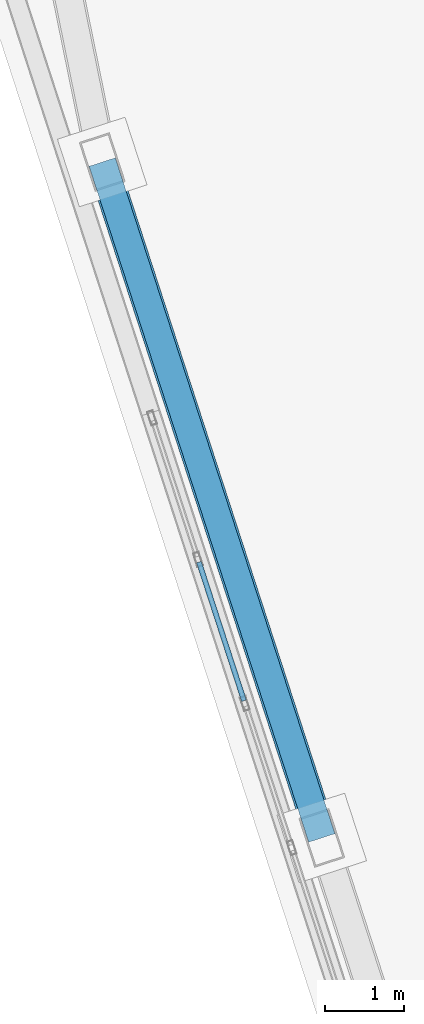
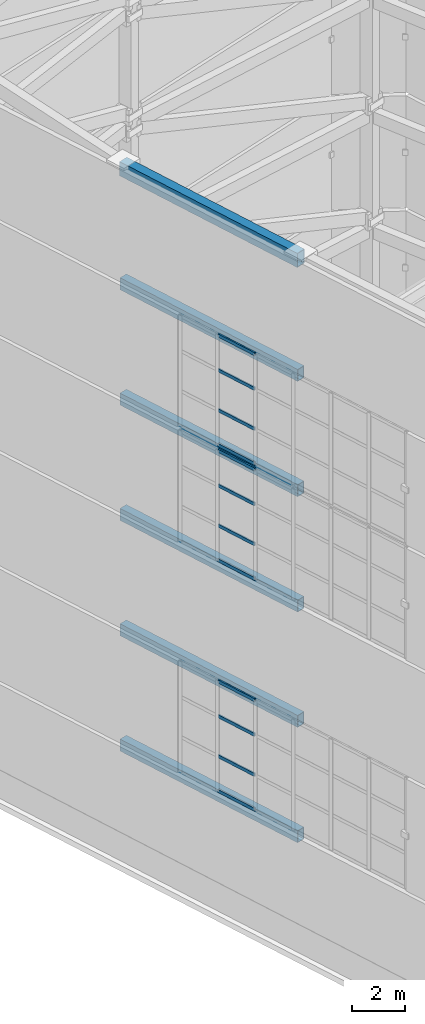
# One storey, part 7 of 56: 12 members, 6 beams, 3 elements without a shape of their own.
"""IFC4 building model written with IfcOpenShell, lengths in metres."""

from ifc_helpers import new_model, si_unit, direction, frame, origin, origin_2d, place, context, subcontext, project, spatial, hollow_rectangle, extrude, material, layer, layer_set, material_profile, profile_set, type_object, element, aggregate, save


model = new_model("IFC4")

# Units and contexts
model_context = context("Model", 3, precision=1e-05, world=origin(), true_north=direction((0.0, 1.0)))
body_context = subcontext(model_context, "Body", "Model", "MODEL_VIEW")
ifc_project = project(units=[si_unit("LENGTHUNIT", "METRE"), si_unit("AREAUNIT", "SQUARE_METRE"), si_unit("VOLUMEUNIT", "CUBIC_METRE"), si_unit("PLANEANGLEUNIT", "RADIAN"), si_unit("MASSUNIT", "GRAM", prefix="KILO")], contexts=[model_context])

# Site, building, storey
site_placement = place(None, origin())
site = spatial("IfcSite", under=ifc_project, at=site_placement, CompositionType="ELEMENT")
building_placement = place(site_placement, origin())
building = spatial("IfcBuilding", under=site, at=building_placement, Name="Qiaolan Cultural Towers", CompositionType="ELEMENT")
storey_placement = place(building_placement, frame((0.0, 0.0, 250.39990234375)))
storey = spatial("IfcBuildingStorey", under=building, at=storey_placement, Name="L68", CompositionType="ELEMENT", Elevation=250.39990234375)

# Beams
ifc_material_1 = material(Name="Steel Q355B", Category="steel")
ifc_material_profile_1 = material_profile(ifc_material_1, hollow_rectangle(XDim=0.39990234375, YDim=0.64990234375, WallThickness=0.02001953125, at=origin_2d()), Name="BOX650x400x20")
ifc_profile_set_1 = profile_set([ifc_material_profile_1], Name="Steel Q355B")
beam_type_1 = type_object("IfcBeamType", Name="BM-CROWN-FRAME-1", PredefinedType="BEAM", material=ifc_profile_set_1)
beam_placement = place(storey_placement, frame((74.42724609375, 38.4033203125, 31.47509765625), z_axis=(0.309000197986, -0.951061973609, 0.0), x_axis=(0.951061973609, 0.309000197986, 0.0)))
element("IfcBeam", 1, at=beam_placement, inside=storey, type_object=beam_type_1, Name="T2 Crown Frame Top Cap Ring Beam T6-11", PredefinedType="BEAM", context=body_context, shape_type="SweptSolid", body=[
    extrude(hollow_rectangle(XDim=0.39990234375, YDim=0.64990234375, WallThickness=0.02001953125, at=origin_2d()), origin(), (0.0, 0.0, 1.0), 9.0),
])
ifc_material_2 = material(Name="Steel Q355B", Category="steel")
ifc_material_profile_2 = material_profile(ifc_material_2, hollow_rectangle(XDim=0.35009765625, YDim=0.550048828125, WallThickness=0.01806640625, at=origin_2d()), Name="BOX550x350x18")
ifc_profile_set_2 = profile_set([ifc_material_profile_2], Name="Steel Q355B")
beam_type_2 = type_object("IfcBeamType", Name="BM-CROWN-FRAME-2", PredefinedType="BEAM", material=ifc_profile_set_2)
for number, where, z_axis, x_axis, name in (
    (2, (74.42724609375, 38.4033203125, 4.97509765625), (0.309000197986, -0.951061973609, 0.0), (0.951061973609, 0.309000197986, 0.0), "T2 Crown Frame Ring Beam T1-11"),
    (3, (74.42724609375, 38.4033203125, 10.275146484375), (0.309000197986, -0.951061973609, 0.0), (0.951061973609, 0.309000197986, 0.0), "T2 Crown Frame Ring Beam T2-11"),
    (4, (74.42724609375, 38.4033203125, 15.5751953125), (0.309000197986, -0.951061973609, 0.0), (0.951061973609, 0.309000197986, 0.0), "T2 Crown Frame Ring Beam T3-11"),
    (5, (74.42724609375, 38.4033203125, 20.875), (0.309000197986, -0.951061973609, 0.0), (0.951061973609, 0.309000197986, 0.0), "T2 Crown Frame Ring Beam T4-11"),
    (6, (74.42724609375, 38.4033203125, 26.175048828125), (0.309000197986, -0.951061973609, 0.0), (0.951061973609, 0.309000197986, 0.0), "T2 Crown Frame Ring Beam T5-11"),
):
    element("IfcBeam", number, at=place(storey_placement, frame(where, z_axis=z_axis, x_axis=x_axis)), inside=storey, type_object=beam_type_2, Name=name, PredefinedType="BEAM", context=body_context, shape_type="SweptSolid", body=[
        extrude(hollow_rectangle(XDim=0.35009765625, YDim=0.550048828125, WallThickness=0.01806640625, at=origin_2d()), origin(), (0.0, 0.0, 1.0), 9.0),
    ])

# Curtain wall, members
ifc_material_3 = material(Name="Unitized Anodized Aluminium Curtain Wall System", Category="aluminium")
ifc_layer = layer(ifc_material_3, 0.199951171875)
ifc_layer_set = layer_set([ifc_layer], Name="Unitized Anodized Aluminium Curtain Wall System")
curtain_wall_type = type_object("IfcCurtainWallType", Name="CWS-06", PredefinedType="NOTDEFINED", material=ifc_layer_set)
curtain_wall_1_placement = place(storey_placement, origin())
curtain_wall_1 = element("IfcCurtainWall", 7, at=curtain_wall_1_placement, inside=storey, type_object=curtain_wall_type, Name="T2 Crown Tier 2 Fritted Screen Curtain Wall 7", PredefinedType="NOTDEFINED")
ifc_material_4 = material(Name="Extruded Aluminium 6063-T6", Category="aluminium")
ifc_material_profile_3 = material_profile(ifc_material_4, hollow_rectangle(XDim=0.06494140625, YDim=0.14990234375, WallThickness=0.00390625, at=origin_2d()), Name="CWT-150x65x4")
ifc_profile_set_3 = profile_set([ifc_material_profile_3], Name="Extruded Aluminium 6063-T6")
member_type = type_object("IfcMemberType", Name="CWS-06-TRN", PredefinedType="USERDEFINED", material=ifc_profile_set_3)
member_1_placement = place(storey_placement, frame((75.65283203125, 33.33642578125, 5.4326171875), z_axis=(0.30899331187, -0.951064210882, 0.0), x_axis=(0.951064210882, 0.30899331187, 0.0)))
member_1 = element("IfcMember", 8, at=member_1_placement, type_object=member_type, Name="CW-6 transom 2.1", ObjectType="TRANSOM", PredefinedType="USERDEFINED", context=body_context, shape_type="SweptSolid", body=[
    extrude(hollow_rectangle(XDim=0.06494140625, YDim=0.14990234375, WallThickness=0.00390625, at=origin_2d()), origin(), (0.0, 0.0, 1.0), 1.844970703125),
])
member_2_placement = place(storey_placement, frame((75.65283203125, 33.33642578125, 7.030029296875), z_axis=(0.30899331187, -0.951064210882, 0.0), x_axis=(0.951064210882, 0.30899331187, 0.0)))
member_2 = element("IfcMember", 9, at=member_2_placement, type_object=member_type, Name="CW-6 transom 2.2", ObjectType="TRANSOM", PredefinedType="USERDEFINED", context=body_context, shape_type="SweptSolid", body=[
    extrude(hollow_rectangle(XDim=0.06494140625, YDim=0.14990234375, WallThickness=0.00390625, at=origin_2d()), origin(), (0.0, 0.0, 1.0), 1.844970703125),
])
member_3_placement = place(storey_placement, frame((75.65283203125, 33.33642578125, 8.8701171875), z_axis=(0.30899331187, -0.951064210882, 0.0), x_axis=(0.951064210882, 0.30899331187, 0.0)))
member_3 = element("IfcMember", 10, at=member_3_placement, type_object=member_type, Name="CW-6 transom 2.3", ObjectType="TRANSOM", PredefinedType="USERDEFINED", context=body_context, shape_type="SweptSolid", body=[
    extrude(hollow_rectangle(XDim=0.06494140625, YDim=0.14990234375, WallThickness=0.00390625, at=origin_2d()), origin(), (0.0, 0.0, 1.0), 1.844970703125),
])
member_4_placement = place(storey_placement, frame((75.65283203125, 33.33642578125, 10.467529296875), z_axis=(0.30899331187, -0.951064210882, 0.0), x_axis=(0.951064210882, 0.30899331187, 0.0)))
member_4 = element("IfcMember", 11, at=member_4_placement, type_object=member_type, Name="CW-6 transom 2.4", ObjectType="TRANSOM", PredefinedType="USERDEFINED", context=body_context, shape_type="SweptSolid", body=[
    extrude(hollow_rectangle(XDim=0.06494140625, YDim=0.14990234375, WallThickness=0.00390625, at=origin_2d()), origin(), (0.0, 0.0, 1.0), 1.844970703125),
])
aggregate(curtain_wall_1, [member_1, member_2, member_3, member_4])

curtain_wall_2_placement = place(storey_placement, origin())
curtain_wall_2 = element("IfcCurtainWall", 12, at=curtain_wall_2_placement, inside=storey, type_object=curtain_wall_type, Name="T2 Crown Tier 4 Fritted Screen Curtain Wall 7", PredefinedType="NOTDEFINED")
member_5_placement = place(storey_placement, frame((75.65283203125, 33.33642578125, 16.03271484375), z_axis=(0.30899331187, -0.951064210882, 0.0), x_axis=(0.951064210882, 0.30899331187, 0.0)))
member_5 = element("IfcMember", 13, at=member_5_placement, type_object=member_type, Name="CW-6 transom 2.1", ObjectType="TRANSOM", PredefinedType="USERDEFINED", context=body_context, shape_type="SweptSolid", body=[
    extrude(hollow_rectangle(XDim=0.06494140625, YDim=0.14990234375, WallThickness=0.00390625, at=origin_2d()), origin(), (0.0, 0.0, 1.0), 1.844970703125),
])
member_6_placement = place(storey_placement, frame((75.65283203125, 33.33642578125, 17.630126953125), z_axis=(0.30899331187, -0.951064210882, 0.0), x_axis=(0.951064210882, 0.30899331187, 0.0)))
member_6 = element("IfcMember", 14, at=member_6_placement, type_object=member_type, Name="CW-6 transom 2.2", ObjectType="TRANSOM", PredefinedType="USERDEFINED", context=body_context, shape_type="SweptSolid", body=[
    extrude(hollow_rectangle(XDim=0.06494140625, YDim=0.14990234375, WallThickness=0.00390625, at=origin_2d()), origin(), (0.0, 0.0, 1.0), 1.844970703125),
])
member_7_placement = place(storey_placement, frame((75.65283203125, 33.33642578125, 19.47021484375), z_axis=(0.30899331187, -0.951064210882, 0.0), x_axis=(0.951064210882, 0.30899331187, 0.0)))
member_7 = element("IfcMember", 15, at=member_7_placement, type_object=member_type, Name="CW-6 transom 2.3", ObjectType="TRANSOM", PredefinedType="USERDEFINED", context=body_context, shape_type="SweptSolid", body=[
    extrude(hollow_rectangle(XDim=0.06494140625, YDim=0.14990234375, WallThickness=0.00390625, at=origin_2d()), origin(), (0.0, 0.0, 1.0), 1.844970703125),
])
member_8_placement = place(storey_placement, frame((75.65283203125, 33.33642578125, 21.067626953125), z_axis=(0.30899331187, -0.951064210882, 0.0), x_axis=(0.951064210882, 0.30899331187, 0.0)))
member_8 = element("IfcMember", 16, at=member_8_placement, type_object=member_type, Name="CW-6 transom 2.4", ObjectType="TRANSOM", PredefinedType="USERDEFINED", context=body_context, shape_type="SweptSolid", body=[
    extrude(hollow_rectangle(XDim=0.06494140625, YDim=0.14990234375, WallThickness=0.00390625, at=origin_2d()), origin(), (0.0, 0.0, 1.0), 1.844970703125),
])
aggregate(curtain_wall_2, [member_5, member_6, member_7, member_8])

curtain_wall_3_placement = place(storey_placement, origin())
curtain_wall_3 = element("IfcCurtainWall", 17, at=curtain_wall_3_placement, inside=storey, type_object=curtain_wall_type, Name="T2 Crown Tier 5 Fritted Screen Curtain Wall 7", PredefinedType="NOTDEFINED")
member_9_placement = place(storey_placement, frame((75.65283203125, 33.33642578125, 21.33251953125), z_axis=(0.30899331187, -0.951064210882, 0.0), x_axis=(0.951064210882, 0.30899331187, 0.0)))
member_9 = element("IfcMember", 18, at=member_9_placement, type_object=member_type, Name="CW-6 transom 2.1", ObjectType="TRANSOM", PredefinedType="USERDEFINED", context=body_context, shape_type="SweptSolid", body=[
    extrude(hollow_rectangle(XDim=0.06494140625, YDim=0.14990234375, WallThickness=0.00390625, at=origin_2d()), origin(), (0.0, 0.0, 1.0), 1.844970703125),
])
member_10_placement = place(storey_placement, frame((75.65283203125, 33.33642578125, 22.93017578125), z_axis=(0.30899331187, -0.951064210882, 0.0), x_axis=(0.951064210882, 0.30899331187, 0.0)))
member_10 = element("IfcMember", 19, at=member_10_placement, type_object=member_type, Name="CW-6 transom 2.2", ObjectType="TRANSOM", PredefinedType="USERDEFINED", context=body_context, shape_type="SweptSolid", body=[
    extrude(hollow_rectangle(XDim=0.06494140625, YDim=0.14990234375, WallThickness=0.00390625, at=origin_2d()), origin(), (0.0, 0.0, 1.0), 1.844970703125),
])
member_11_placement = place(storey_placement, frame((75.65283203125, 33.33642578125, 24.77001953125), z_axis=(0.30899331187, -0.951064210882, 0.0), x_axis=(0.951064210882, 0.30899331187, 0.0)))
member_11 = element("IfcMember", 20, at=member_11_placement, type_object=member_type, Name="CW-6 transom 2.3", ObjectType="TRANSOM", PredefinedType="USERDEFINED", context=body_context, shape_type="SweptSolid", body=[
    extrude(hollow_rectangle(XDim=0.06494140625, YDim=0.14990234375, WallThickness=0.00390625, at=origin_2d()), origin(), (0.0, 0.0, 1.0), 1.844970703125),
])
member_12_placement = place(storey_placement, frame((75.65283203125, 33.33642578125, 26.36767578125), z_axis=(0.30899331187, -0.951064210882, 0.0), x_axis=(0.951064210882, 0.30899331187, 0.0)))
member_12 = element("IfcMember", 21, at=member_12_placement, type_object=member_type, Name="CW-6 transom 2.4", ObjectType="TRANSOM", PredefinedType="USERDEFINED", context=body_context, shape_type="SweptSolid", body=[
    extrude(hollow_rectangle(XDim=0.06494140625, YDim=0.14990234375, WallThickness=0.00390625, at=origin_2d()), origin(), (0.0, 0.0, 1.0), 1.844970703125),
])
aggregate(curtain_wall_3, [member_9, member_10, member_11, member_12])

save(model, "model.ifc")
